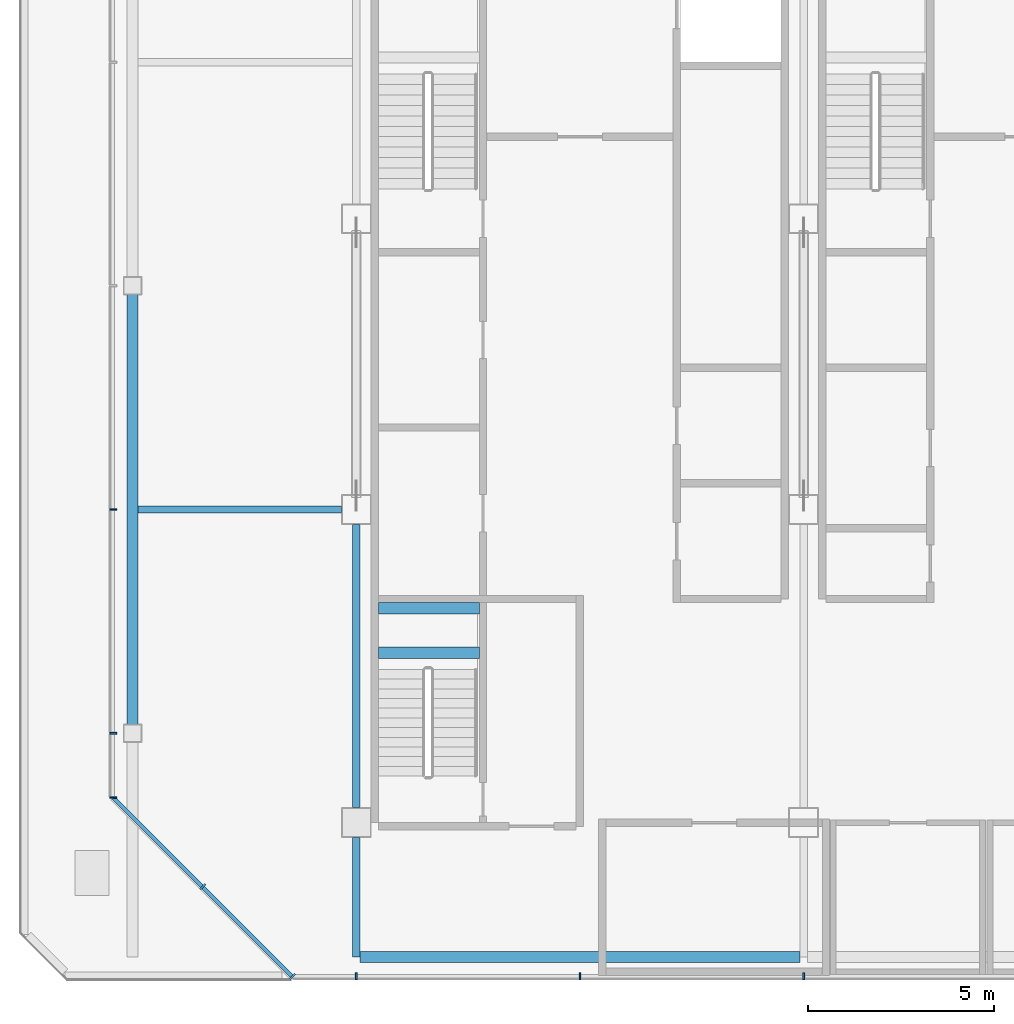
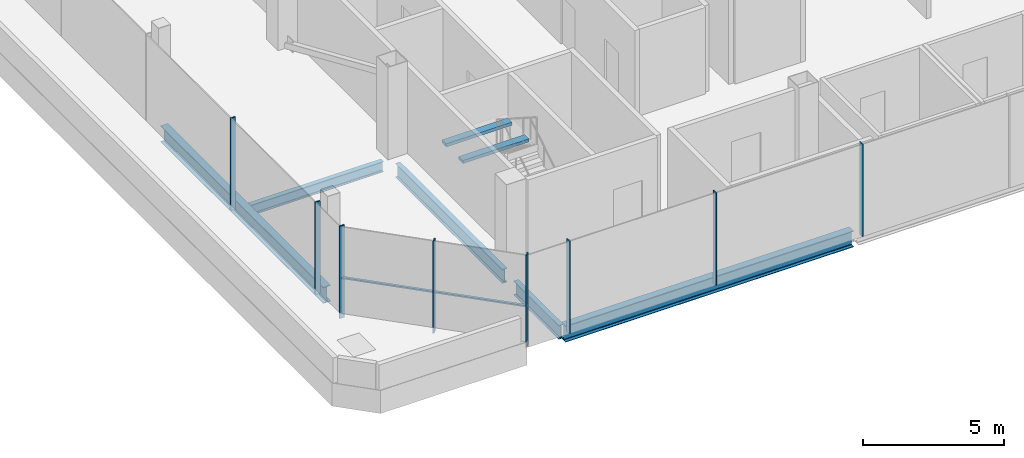
# One storey, part 2 of 11: 9 members, 7 beams, 3 elements without a shape of their own.
"""IFC4 building model written with IfcOpenShell, lengths in metres."""

from ifc_helpers import new_model, si_unit, direction, frame, origin, origin_2d, place, context, subcontext, project, spatial, rectangle, i_section, extrude, material, material_profile, profile_set, type_object, element, aggregate, save


model = new_model("IFC4")

# Units and contexts
model_context = context("Model", 3, precision=1e-05, world=origin(), true_north=direction((0.0, 1.0)))
body_context = subcontext(model_context, "Body", "Model", "MODEL_VIEW")
ifc_project = project(units=[si_unit("LENGTHUNIT", "METRE"), si_unit("AREAUNIT", "SQUARE_METRE"), si_unit("VOLUMEUNIT", "CUBIC_METRE"), si_unit("PLANEANGLEUNIT", "RADIAN"), si_unit("MASSUNIT", "GRAM", prefix="KILO")], contexts=[model_context])

# Site, building, storey
site_placement = place(None, origin())
site = spatial("IfcSite", under=ifc_project, at=site_placement, CompositionType="ELEMENT")
building_placement = place(site_placement, origin())
building = spatial("IfcBuilding", under=site, at=building_placement, Name="Sorahane Residences", CompositionType="ELEMENT")
storey_placement = place(building_placement, frame((0.0, 0.0, 349.800048828125)))
storey = spatial("IfcBuildingStorey", under=building, at=storey_placement, Name="L83", CompositionType="ELEMENT", Elevation=349.800048828125)

# Curtain wall, members
ifc_material_1 = material(Name="Dark low-e glass and black anodised aluminium", Category="aluminium")
curtain_wall_type = type_object("IfcCurtainWallType", Name="Curtain wall CW-6 Crown unitised wall", PredefinedType="NOTDEFINED", material=ifc_material_1)
curtain_wall_1_placement = place(storey_placement, origin())
curtain_wall_1 = element("IfcCurtainWall", 1, at=curtain_wall_1_placement, inside=storey, type_object=curtain_wall_type, Name="CW-6 curtain wall L83 S1", PredefinedType="NOTDEFINED")
ifc_material_2 = material(Name="Black anodised aluminium", Category="aluminium")
ifc_material_profile_1 = material_profile(ifc_material_2, rectangle(XDim=0.199951171875, YDim=0.050048828125, at=origin_2d()), Name="Curtain wall mullion CW-6 black anodised aluminium 50x200")
ifc_profile_set_1 = profile_set([ifc_material_profile_1], Name="Black anodised aluminium")
member_type_1 = type_object("IfcMemberType", Name="Curtain wall mullion CW-6 black anodised aluminium 50x200", PredefinedType="MULLION", material=ifc_profile_set_1)
member_1_placement = place(storey_placement, frame((6.0, 17.47998046875, -0.25), z_axis=(0.0, 0.0, 1.0), x_axis=(0.0, -1.0, 0.0)))
member_1 = element("IfcMember", 2, at=member_1_placement, type_object=member_type_1, Name="CW-6 mullion L83 S1.2", PredefinedType="MULLION", context=body_context, shape_type="SweptSolid", body=[
    extrude(rectangle(XDim=0.199951171875, YDim=0.050048828125, at=origin_2d()), origin(), (0.0, 0.0, 1.0), 4.0),
])
member_2_placement = place(storey_placement, frame((12.0, 17.47998046875, -0.25), z_axis=(0.0, 0.0, 1.0), x_axis=(0.0, -1.0, 0.0)))
member_2 = element("IfcMember", 3, at=member_2_placement, type_object=member_type_1, Name="CW-6 mullion L83 S1.3", PredefinedType="MULLION", context=body_context, shape_type="SweptSolid", body=[
    extrude(rectangle(XDim=0.199951171875, YDim=0.050048828125, at=origin_2d()), origin(), (0.0, 0.0, 1.0), 4.0),
])
member_3_placement = place(storey_placement, frame((18.0, 17.47998046875, -0.25), z_axis=(0.0, 0.0, 1.0), x_axis=(0.0, -1.0, 0.0)))
member_3 = element("IfcMember", 4, at=member_3_placement, type_object=member_type_1, Name="CW-6 mullion L83 S1.4", PredefinedType="MULLION", context=body_context, shape_type="SweptSolid", body=[
    extrude(rectangle(XDim=0.199951171875, YDim=0.050048828125, at=origin_2d()), origin(), (0.0, 0.0, 1.0), 4.0),
])
aggregate(curtain_wall_1, [member_1, member_2, member_3])

curtain_wall_2_placement = place(storey_placement, origin())
curtain_wall_2 = element("IfcCurtainWall", 5, at=curtain_wall_2_placement, inside=storey, type_object=curtain_wall_type, Name="CW-6 curtain wall L83 W1", PredefinedType="NOTDEFINED")
member_4_placement = place(storey_placement, frame((-0.52001953125, 30.0, -0.25), z_axis=(0.0, 0.0, 1.0), x_axis=(-1.0, 0.0, 0.0)))
member_4 = element("IfcMember", 6, at=member_4_placement, type_object=member_type_1, Name="CW-6 mullion L83 W1.4", PredefinedType="MULLION", context=body_context, shape_type="SweptSolid", body=[
    extrude(rectangle(XDim=0.199951171875, YDim=0.050048828125, at=origin_2d()), origin(), (0.0, 0.0, 1.0), 4.0),
])
member_5_placement = place(storey_placement, frame((-0.52001953125, 24.0, -0.25), z_axis=(0.0, 0.0, 1.0), x_axis=(-1.0, 0.0, 0.0)))
member_5 = element("IfcMember", 7, at=member_5_placement, type_object=member_type_1, Name="CW-6 mullion L83 W1.5", PredefinedType="MULLION", context=body_context, shape_type="SweptSolid", body=[
    extrude(rectangle(XDim=0.199951171875, YDim=0.050048828125, at=origin_2d()), origin(), (0.0, 0.0, 1.0), 4.0),
])
member_6_placement = place(storey_placement, frame((-0.52001953125, 22.2763671875, -0.25), z_axis=(0.0, 0.0, 1.0), x_axis=(-1.0, 0.0, 0.0)))
member_6 = element("IfcMember", 8, at=member_6_placement, type_object=member_type_1, Name="CW-6 mullion L83 W1.6", PredefinedType="MULLION", context=body_context, shape_type="SweptSolid", body=[
    extrude(rectangle(XDim=0.199951171875, YDim=0.050048828125, at=origin_2d()), origin(), (0.0, 0.0, 1.0), 4.0),
])
aggregate(curtain_wall_2, [member_4, member_5, member_6])

curtain_wall_3_placement = place(storey_placement, origin())
curtain_wall_3 = element("IfcCurtainWall", 9, at=curtain_wall_3_placement, inside=storey, type_object=curtain_wall_type, Name="CW-6 curtain wall L83 SW1", PredefinedType="NOTDEFINED")
member_7_placement = place(storey_placement, frame((1.88232421875, 19.88232421875, -0.25), z_axis=(0.0, 0.0, 1.0), x_axis=(-0.707106781187, -0.707106781187, 0.0)))
member_7 = element("IfcMember", 10, at=member_7_placement, type_object=member_type_1, Name="CW-6 mullion L83 SW1.2", PredefinedType="MULLION", context=body_context, shape_type="SweptSolid", body=[
    extrude(rectangle(XDim=0.199951171875, YDim=0.050048828125, at=origin_2d()), origin(), (0.0, 0.0, 1.0), 4.0),
])
member_8_placement = place(storey_placement, frame((4.290283203125, 17.474365234375, -0.25), z_axis=(0.0, 0.0, 1.0), x_axis=(-0.707106781187, -0.707106781187, 0.0)))
member_8 = element("IfcMember", 11, at=member_8_placement, type_object=member_type_1, Name="CW-6 mullion L83 SW1.3", PredefinedType="MULLION", context=body_context, shape_type="SweptSolid", body=[
    extrude(rectangle(XDim=0.199951171875, YDim=0.050048828125, at=origin_2d()), origin(), (0.0, 0.0, 1.0), 4.0),
])
ifc_material_3 = material(Name="Black anodised aluminium", Category="aluminium")
ifc_material_profile_2 = material_profile(ifc_material_3, rectangle(XDim=0.10009765625, YDim=0.06005859375, at=origin_2d()), Name="Curtain wall transom CW-6 black anodised aluminium 60x100")
ifc_profile_set_2 = profile_set([ifc_material_profile_2], Name="Black anodised aluminium")
member_type_2 = type_object("IfcMemberType", Name="Curtain wall transom CW-6 black anodised aluminium 60x100", PredefinedType="USERDEFINED", material=ifc_profile_set_2)
member_9_placement = place(storey_placement, frame((-0.51513671875, 22.265625, 1.5), z_axis=(0.707106781187, -0.707106781187, 0.0), x_axis=(0.707106781187, 0.707106781187, 0.0)))
member_9 = element("IfcMember", 12, at=member_9_placement, type_object=member_type_2, Name="CW-6 transom L83 SW1", ObjectType="TRANSOM", PredefinedType="USERDEFINED", context=body_context, shape_type="SweptSolid", body=[
    extrude(rectangle(XDim=0.10009765625, YDim=0.06005859375, at=origin_2d()), origin(), (0.0, 0.0, 1.0), 6.760986328125),
])
aggregate(curtain_wall_3, [member_7, member_8, member_9])

# Beams
ifc_material_4 = material(Name="Concrete C40", Category="concrete")
ifc_material_profile_3 = material_profile(ifc_material_4, rectangle(XDim=0.300048828125, YDim=0.139892578125, at=origin_2d()), Name="300x140")
ifc_profile_set_3 = profile_set([ifc_material_profile_3], Name="Concrete C40")
beam_type_1 = type_object("IfcBeamType", Name="RC landing beam 300 x 140 Concrete C40", PredefinedType="BEAM", material=ifc_profile_set_3)
for number, where, z_axis, x_axis, name in (
    (13, (6.60009765625, 26.159912109375, 1.72998046875), (1.0, 0.0, 0.0), (0.0, 1.0, 0.0), "Landing beam"),
    (14, (6.60009765625, 27.35009765625, 1.72998046875), (1.0, 0.0, 0.0), (0.0, 1.0, 0.0), "Landing beam"),
):
    element("IfcBeam", number, at=place(storey_placement, frame(where, z_axis=z_axis, x_axis=x_axis)), inside=storey, type_object=beam_type_1, Name=name, PredefinedType="BEAM", context=body_context, shape_type="SweptSolid", body=[
        extrude(rectangle(XDim=0.300048828125, YDim=0.139892578125, at=origin_2d()), origin(), (0.0, 0.0, 1.0), 2.699951171875),
    ])
ifc_material_5 = material(Name="Steel Q355B", Category="steel")
ifc_material_profile_4 = material_profile(ifc_material_5, i_section(OverallWidth=0.199951171875, OverallDepth=0.449951171875, WebThickness=0.009033203125, FlangeThickness=0.013916015625, FilletRadius=0.02001953125, at=origin_2d()), Name="HN 450x200x9x14")
ifc_profile_set_4 = profile_set([ifc_material_profile_4], Name="Steel Q355B")
beam_type_2 = type_object("IfcBeamType", Name="Steel floor beam HN 450x200x9x14 Q355B", PredefinedType="BEAM", material=ifc_profile_set_4)
beam_1_placement = place(storey_placement, frame((0.14990234375, 30.0, -0.47509765625), z_axis=(1.0, 0.0, 0.0), x_axis=(0.0, 1.0, 0.0)))
element("IfcBeam", 15, at=beam_1_placement, inside=storey, type_object=beam_type_2, Name="Beam L83 029", PredefinedType="BEAM", context=body_context, shape_type="SweptSolid", body=[
    extrude(i_section(OverallWidth=0.199951171875, OverallDepth=0.449951171875, WebThickness=0.009033203125, FlangeThickness=0.013916015625, FilletRadius=0.02001953125, at=origin_2d()), origin(), (0.0, 0.0, 1.0), 5.4501953125),
])
ifc_material_6 = material(Name="Steel Q355B", Category="steel")
ifc_material_profile_5 = material_profile(ifc_material_6, i_section(OverallWidth=0.199951171875, OverallDepth=0.60009765625, WebThickness=0.010986328125, FlangeThickness=0.01708984375, FilletRadius=0.02392578125, at=origin_2d()), Name="HN 600x200x11x17")
ifc_profile_set_5 = profile_set([ifc_material_profile_5], Name="Steel Q355B")
beam_type_3 = type_object("IfcBeamType", Name="Steel floor beam HN 600x200x11x17 Q355B", PredefinedType="BEAM", material=ifc_profile_set_5)
beam_2_placement = place(storey_placement, frame((6.0, 22.0, -0.550048828125), z_axis=(0.0, 1.0, 0.0), x_axis=(-1.0, 0.0, 0.0)))
element("IfcBeam", 16, at=beam_2_placement, inside=storey, type_object=beam_type_3, Name="Beam L83 007", PredefinedType="BEAM", context=body_context, shape_type="SweptSolid", body=[
    extrude(i_section(OverallWidth=0.199951171875, OverallDepth=0.60009765625, WebThickness=0.010986328125, FlangeThickness=0.01708984375, FilletRadius=0.02392578125, at=origin_2d()), origin(), (0.0, 0.0, 1.0), 7.60009765625),
])
beam_3_placement = place(storey_placement, frame((6.0, 18.0, -0.550048828125), z_axis=(0.0, 1.0, 0.0), x_axis=(-1.0, 0.0, 0.0)))
element("IfcBeam", 17, at=beam_3_placement, inside=storey, type_object=beam_type_3, Name="Beam L83 011", PredefinedType="BEAM", context=body_context, shape_type="SweptSolid", body=[
    extrude(i_section(OverallWidth=0.199951171875, OverallDepth=0.60009765625, WebThickness=0.010986328125, FlangeThickness=0.01708984375, FilletRadius=0.02392578125, at=origin_2d()), origin(), (0.0, 0.0, 1.0), 3.199951171875),
])
ifc_material_7 = material(Name="Steel Q355B", Category="steel")
ifc_material_profile_6 = material_profile(ifc_material_7, i_section(OverallWidth=0.300048828125, OverallDepth=0.699951171875, WebThickness=0.012939453125, FlangeThickness=0.02392578125, FilletRadius=0.028076171875, at=origin_2d()), Name="HN 700x300x13x24")
ifc_profile_set_6 = profile_set([ifc_material_profile_6], Name="Steel Q355B")
beam_type_4 = type_object("IfcBeamType", Name="Steel floor beam HN 700x300x13x24 Q355B", PredefinedType="BEAM", material=ifc_profile_set_6)
beam_4_placement = place(storey_placement, frame((0.0, 24.22509765625, -0.60009765625), z_axis=(0.0, 1.0, 0.0), x_axis=(-1.0, 0.0, 0.0)))
element("IfcBeam", 18, at=beam_4_placement, inside=storey, type_object=beam_type_4, Name="Beam L83 004", PredefinedType="BEAM", context=body_context, shape_type="SweptSolid", body=[
    extrude(i_section(OverallWidth=0.300048828125, OverallDepth=0.699951171875, WebThickness=0.012939453125, FlangeThickness=0.02392578125, FilletRadius=0.028076171875, at=origin_2d()), origin(), (0.0, 0.0, 1.0), 11.5498046875),
])
beam_5_placement = place(storey_placement, frame((6.10009765625, 18.0, -0.60009765625), z_axis=(1.0, 0.0, 0.0), x_axis=(0.0, 1.0, 0.0)))
element("IfcBeam", 19, at=beam_5_placement, inside=storey, type_object=beam_type_4, Name="Beam L83 027", PredefinedType="BEAM", context=body_context, shape_type="SweptSolid", body=[
    extrude(i_section(OverallWidth=0.300048828125, OverallDepth=0.699951171875, WebThickness=0.012939453125, FlangeThickness=0.02392578125, FilletRadius=0.028076171875, at=origin_2d()), origin(), (0.0, 0.0, 1.0), 11.7998046875),
])

save(model, "model.ifc")
